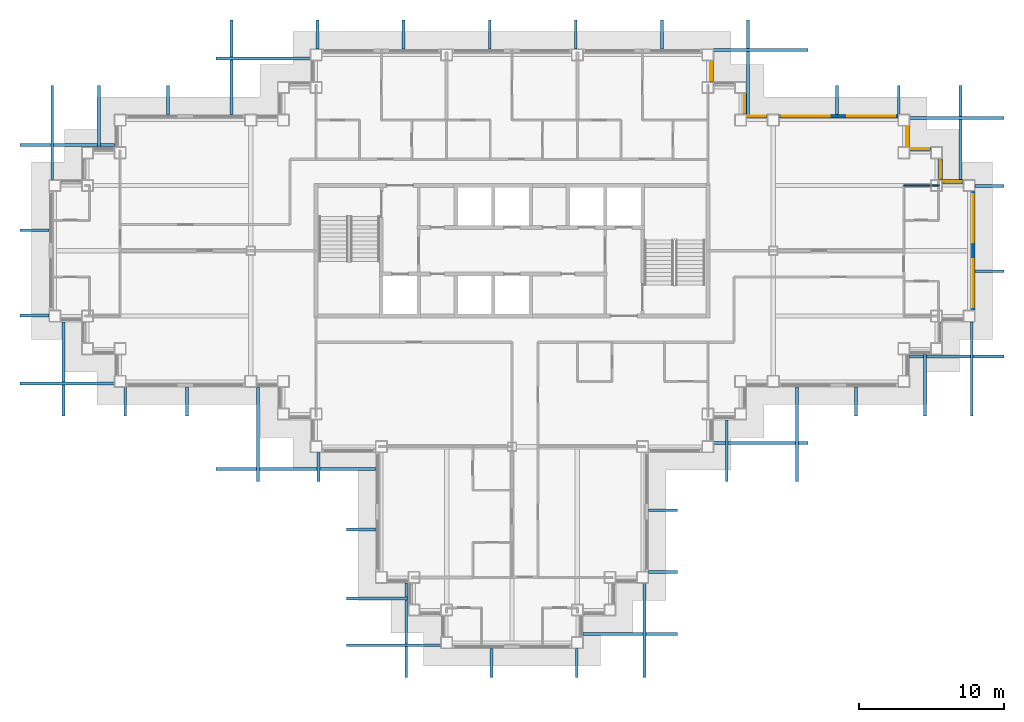
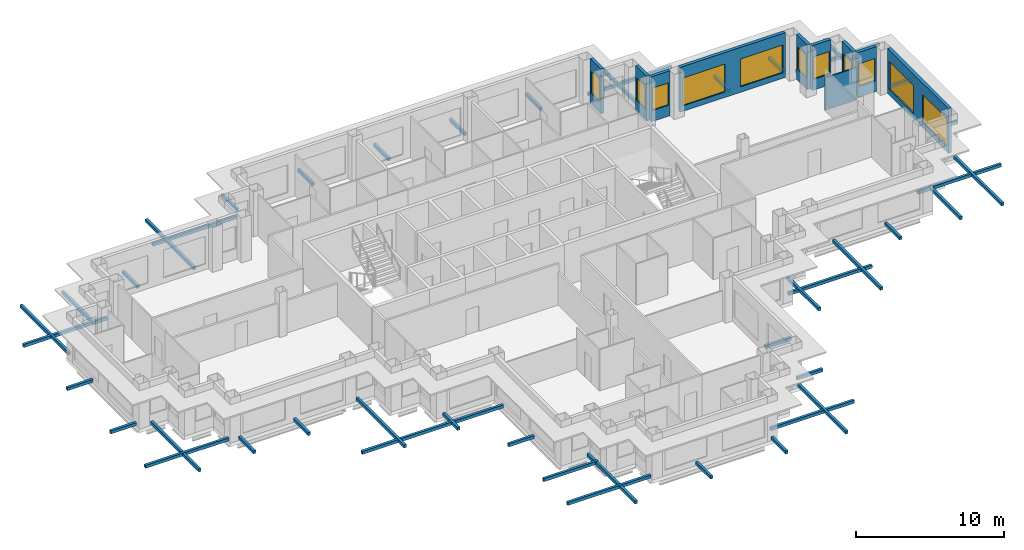
# One storey, part 9 of 14: 45 discrete accessories, 11 windows, 10 walls, 11 openings.
"""IFC4 building model written with IfcOpenShell, lengths in metres."""

from ifc_helpers import new_model, si_unit, direction, frame, frame_2d, origin, origin_2d, place, context, subcontext, project, spatial, rectangle, extrude, material, layer, layer_set, type_object, element, fill, save


model = new_model("IFC4")

# Units and contexts
model_context = context("Model", 3, precision=1e-05, world=origin(), true_north=direction((0.0, 1.0)))
body_context = subcontext(model_context, "Body", "Model", "MODEL_VIEW")
ifc_project = project(units=[si_unit("LENGTHUNIT", "METRE"), si_unit("AREAUNIT", "SQUARE_METRE"), si_unit("VOLUMEUNIT", "CUBIC_METRE"), si_unit("PLANEANGLEUNIT", "RADIAN"), si_unit("MASSUNIT", "GRAM", prefix="KILO")], contexts=[model_context])

# Site, building, storey
site_placement = place(None, origin())
site = spatial("IfcSite", under=ifc_project, at=site_placement, CompositionType="ELEMENT")
building_placement = place(site_placement, origin())
building = spatial("IfcBuilding", under=site, at=building_placement, Name="Caravel Reach Hotel and Residences", CompositionType="ELEMENT")
storey_placement = place(building_placement, frame((0.0, 0.0, 161.699951171875)))
storey = spatial("IfcBuildingStorey", under=building, at=storey_placement, Name="L40", CompositionType="ELEMENT", Elevation=161.699951171875)

# Wall, openings, windows
ifc_material_1 = material(Name="Insulated rainscreen wall, aluminium cladding", Category="aluminium")
ifc_layer_1 = layer(ifc_material_1, 0.25)
ifc_layer_set_1 = layer_set([ifc_layer_1], Name="EW1 Tower rainscreen wall")
wall_type_1 = type_object("IfcWallType", Name="EW1 Tower rainscreen wall", PredefinedType="SOLIDWALL", material=ifc_layer_set_1)
wall_1_placement = place(storey_placement, frame((63.27490234375, 22.89990234375, 0.0), z_axis=(0.0, 0.0, 1.0), x_axis=(0.0, 1.0, 0.0)))
wall_1 = element("IfcWall", 1, at=wall_1_placement, inside=storey, type_object=wall_type_1, Name="External wall L40 E20.1", PredefinedType="SOLIDWALL", context=body_context, shape_type="SweptSolid", body=[
    extrude(rectangle(XDim=8.2001953125, YDim=0.25, at=frame_2d((4.10009765625, 0.0))), origin(), (0.0, 0.0, 1.0), 3.699951171875),
])
opening_1_placement = place(wall_1_placement, frame((0.199951171875, 0.0, 0.449951171875)))
opening_1 = element("IfcOpeningElement", 2, at=opening_1_placement, cuts=wall_1, Name="Opening WN15", PredefinedType="OPENING", context=body_context, shape_type="SweptSolid", body=[
    extrude(rectangle(XDim=3.300048828125, YDim=2.300048828125, at=frame_2d((1.64990234375, 1.14990234375))), frame((0.0, 0.135009765625, 0.0), z_axis=(0.0, -1.0, 0.0), x_axis=(1.0, 0.0, 0.0)), (0.0, 0.0, 1.0), 0.27001953125),
])
opening_2_placement = place(wall_1_placement, frame((4.699951171875, 0.0, 0.449951171875)))
opening_2 = element("IfcOpeningElement", 3, at=opening_2_placement, cuts=wall_1, Name="Opening WN15", PredefinedType="OPENING", context=body_context, shape_type="SweptSolid", body=[
    extrude(rectangle(XDim=3.300048828125, YDim=2.300048828125, at=frame_2d((1.64990234375, 1.14990234375))), frame((0.0, 0.135009765625, 0.0), z_axis=(0.0, -1.0, 0.0), x_axis=(1.0, 0.0, 0.0)), (0.0, 0.0, 1.0), 0.27001953125),
])
ifc_material_2 = material(Name="Dark low-e glazing in black aluminium frame", Category="aluminium")
window_type_1 = type_object("IfcWindowType", Name="Residence living window 3300 x 2300", PartitioningType="SINGLE_PANEL", PredefinedType="WINDOW", material=ifc_material_2)
window_1_placement = place(opening_1_placement, origin())
window_1 = element("IfcWindow", 4, at=window_1_placement, inside=storey, type_object=window_type_1, Name="Window L40 E20.1.1", OverallHeight=2.300048828125, OverallWidth=3.300048828125, PartitioningType="SINGLE_PANEL", PredefinedType="WINDOW", context=body_context, shape_type="SweptSolid", body=[
    extrude(rectangle(XDim=3.300048828125, YDim=2.300048828125, at=frame_2d((1.64990234375, 1.14990234375))), frame((0.0, 0.030029296875, 0.0), z_axis=(0.0, -1.0, 0.0), x_axis=(1.0, 0.0, 0.0)), (0.0, 0.0, 1.0), 0.06005859375),
])
fill(opening_1, window_1)
window_2_placement = place(opening_2_placement, origin())
window_2 = element("IfcWindow", 5, at=window_2_placement, inside=storey, type_object=window_type_1, Name="Window L40 E20.1.2", OverallHeight=2.300048828125, OverallWidth=3.300048828125, PartitioningType="SINGLE_PANEL", PredefinedType="WINDOW", context=body_context, shape_type="SweptSolid", body=[
    extrude(rectangle(XDim=3.300048828125, YDim=2.300048828125, at=frame_2d((1.64990234375, 1.14990234375))), frame((0.0, 0.030029296875, 0.0), z_axis=(0.0, -1.0, 0.0), x_axis=(1.0, 0.0, 0.0)), (0.0, 0.0, 1.0), 0.06005859375),
])
fill(opening_2, window_2)

# Wall, opening, window
wall_2_placement = place(storey_placement, frame((62.60009765625, 31.77490234375, 0.0), z_axis=(0.0, 0.0, 1.0), x_axis=(-1.0, 0.0, 0.0)))
wall_2 = element("IfcWall", 6, at=wall_2_placement, inside=storey, type_object=wall_type_1, Name="External wall L40 N21.1", PredefinedType="SOLIDWALL", context=body_context, shape_type="SweptSolid", body=[
    extrude(rectangle(XDim=1.4501953125, YDim=0.25, at=frame_2d((0.72509765625, 0.0))), origin(), (0.0, 0.0, 1.0), 3.699951171875),
])
opening_3_placement = place(wall_2_placement, frame((0.10009765625, 0.0, 0.89990234375)))
opening_3 = element("IfcOpeningElement", 7, at=opening_3_placement, cuts=wall_2, Name="Opening WN13", PredefinedType="OPENING", context=body_context, shape_type="SweptSolid", body=[
    extrude(rectangle(XDim=1.25, YDim=1.85009765625, at=frame_2d((0.625, 0.925048828125))), frame((0.0, 0.135009765625, 0.0), z_axis=(0.0, -1.0, 0.0), x_axis=(1.0, 0.0, 0.0)), (0.0, 0.0, 1.0), 0.27001953125),
])
ifc_material_3 = material(Name="Dark low-e glazing in black aluminium frame", Category="aluminium")
window_type_2 = type_object("IfcWindowType", Name="Residence bedroom window 1250 x 1850", PartitioningType="SINGLE_PANEL", PredefinedType="WINDOW", material=ifc_material_3)
window_3_placement = place(opening_3_placement, origin())
window_3 = element("IfcWindow", 8, at=window_3_placement, inside=storey, type_object=window_type_2, Name="Window L40 N21.1.1", OverallHeight=1.85009765625, OverallWidth=1.25, PartitioningType="SINGLE_PANEL", PredefinedType="WINDOW", context=body_context, shape_type="SweptSolid", body=[
    extrude(rectangle(XDim=1.25, YDim=1.85009765625, at=frame_2d((0.625, 0.925048828125))), frame((0.0, 0.030029296875, 0.0), z_axis=(0.0, -1.0, 0.0), x_axis=(1.0, 0.0, 0.0)), (0.0, 0.0, 1.0), 0.06005859375),
])
fill(opening_3, window_3)

wall_3_placement = place(storey_placement, frame((61.02490234375, 31.89990234375, 0.0), z_axis=(0.0, 0.0, 1.0), x_axis=(0.0, 1.0, 0.0)))
wall_3 = element("IfcWall", 9, at=wall_3_placement, inside=storey, type_object=wall_type_1, Name="External wall L40 E22.1", PredefinedType="SOLIDWALL", context=body_context, shape_type="SweptSolid", body=[
    extrude(rectangle(XDim=1.4501953125, YDim=0.25, at=frame_2d((0.72509765625, 0.0))), origin(), (0.0, 0.0, 1.0), 3.699951171875),
])
opening_4_placement = place(wall_3_placement, frame((0.10009765625, 0.0, 0.89990234375)))
opening_4 = element("IfcOpeningElement", 10, at=opening_4_placement, cuts=wall_3, Name="Opening WN13", PredefinedType="OPENING", context=body_context, shape_type="SweptSolid", body=[
    extrude(rectangle(XDim=1.25, YDim=1.85009765625, at=frame_2d((0.625, 0.925048828125))), frame((0.0, 0.135009765625, 0.0), z_axis=(0.0, -1.0, 0.0), x_axis=(1.0, 0.0, 0.0)), (0.0, 0.0, 1.0), 0.27001953125),
])
window_4_placement = place(opening_4_placement, origin())
window_4 = element("IfcWindow", 11, at=window_4_placement, inside=storey, type_object=window_type_2, Name="Window L40 E22.1.1", OverallHeight=1.85009765625, OverallWidth=1.25, PartitioningType="SINGLE_PANEL", PredefinedType="WINDOW", context=body_context, shape_type="SweptSolid", body=[
    extrude(rectangle(XDim=1.25, YDim=1.85009765625, at=frame_2d((0.625, 0.925048828125))), frame((0.0, 0.030029296875, 0.0), z_axis=(0.0, -1.0, 0.0), x_axis=(1.0, 0.0, 0.0)), (0.0, 0.0, 1.0), 0.06005859375),
])
fill(opening_4, window_4)

wall_4_placement = place(storey_placement, frame((60.35009765625, 34.02490234375, 0.0), z_axis=(0.0, 0.0, 1.0), x_axis=(-1.0, 0.0, 0.0)))
wall_4 = element("IfcWall", 12, at=wall_4_placement, inside=storey, type_object=wall_type_1, Name="External wall L40 N23.1", PredefinedType="SOLIDWALL", context=body_context, shape_type="SweptSolid", body=[
    extrude(rectangle(XDim=1.4501953125, YDim=0.25, at=frame_2d((0.72509765625, 0.0))), origin(), (0.0, 0.0, 1.0), 3.699951171875),
])
opening_5_placement = place(wall_4_placement, frame((0.10009765625, 0.0, 0.89990234375)))
opening_5 = element("IfcOpeningElement", 13, at=opening_5_placement, cuts=wall_4, Name="Opening WN13", PredefinedType="OPENING", context=body_context, shape_type="SweptSolid", body=[
    extrude(rectangle(XDim=1.25, YDim=1.85009765625, at=frame_2d((0.625, 0.925048828125))), frame((0.0, 0.135009765625, 0.0), z_axis=(0.0, -1.0, 0.0), x_axis=(1.0, 0.0, 0.0)), (0.0, 0.0, 1.0), 0.27001953125),
])
window_5_placement = place(opening_5_placement, origin())
window_5 = element("IfcWindow", 14, at=window_5_placement, inside=storey, type_object=window_type_2, Name="Window L40 N23.1.1", OverallHeight=1.85009765625, OverallWidth=1.25, PartitioningType="SINGLE_PANEL", PredefinedType="WINDOW", context=body_context, shape_type="SweptSolid", body=[
    extrude(rectangle(XDim=1.25, YDim=1.85009765625, at=frame_2d((0.625, 0.925048828125))), frame((0.0, 0.030029296875, 0.0), z_axis=(0.0, -1.0, 0.0), x_axis=(1.0, 0.0, 0.0)), (0.0, 0.0, 1.0), 0.06005859375),
])
fill(opening_5, window_5)

wall_5_placement = place(storey_placement, frame((58.77490234375, 34.14990234375, 0.0), z_axis=(0.0, 0.0, 1.0), x_axis=(0.0, 1.0, 0.0)))
wall_5 = element("IfcWall", 15, at=wall_5_placement, inside=storey, type_object=wall_type_1, Name="External wall L40 E24.1", PredefinedType="SOLIDWALL", context=body_context, shape_type="SweptSolid", body=[
    extrude(rectangle(XDim=1.4501953125, YDim=0.25, at=frame_2d((0.72509765625, 0.0))), origin(), (0.0, 0.0, 1.0), 3.699951171875),
])
opening_6_placement = place(wall_5_placement, frame((0.10009765625, 0.0, 0.89990234375)))
opening_6 = element("IfcOpeningElement", 16, at=opening_6_placement, cuts=wall_5, Name="Opening WN13", PredefinedType="OPENING", context=body_context, shape_type="SweptSolid", body=[
    extrude(rectangle(XDim=1.25, YDim=1.85009765625, at=frame_2d((0.625, 0.925048828125))), frame((0.0, 0.135009765625, 0.0), z_axis=(0.0, -1.0, 0.0), x_axis=(1.0, 0.0, 0.0)), (0.0, 0.0, 1.0), 0.27001953125),
])
window_6_placement = place(opening_6_placement, origin())
window_6 = element("IfcWindow", 17, at=window_6_placement, inside=storey, type_object=window_type_2, Name="Window L40 E24.1.1", OverallHeight=1.85009765625, OverallWidth=1.25, PartitioningType="SINGLE_PANEL", PredefinedType="WINDOW", context=body_context, shape_type="SweptSolid", body=[
    extrude(rectangle(XDim=1.25, YDim=1.85009765625, at=frame_2d((0.625, 0.925048828125))), frame((0.0, 0.030029296875, 0.0), z_axis=(0.0, -1.0, 0.0), x_axis=(1.0, 0.0, 0.0)), (0.0, 0.0, 1.0), 0.06005859375),
])
fill(opening_6, window_6)

# Wall, openings, windows
wall_6_placement = place(storey_placement, frame((58.10009765625, 36.27490234375, 0.0), z_axis=(0.0, 0.0, 1.0), x_axis=(-1.0, 0.0, 0.0)))
wall_6 = element("IfcWall", 18, at=wall_6_placement, inside=storey, type_object=wall_type_1, Name="External wall L40 N25.1", PredefinedType="SOLIDWALL", context=body_context, shape_type="SweptSolid", body=[
    extrude(rectangle(XDim=8.2001953125, YDim=0.25, at=frame_2d((4.10009765625, 0.0))), origin(), (0.0, 0.0, 1.0), 3.699951171875),
])
opening_7_placement = place(wall_6_placement, frame((0.199951171875, 0.0, 0.449951171875)))
opening_7 = element("IfcOpeningElement", 19, at=opening_7_placement, cuts=wall_6, Name="Opening WN15", PredefinedType="OPENING", context=body_context, shape_type="SweptSolid", body=[
    extrude(rectangle(XDim=3.300048828125, YDim=2.300048828125, at=frame_2d((1.64990234375, 1.14990234375))), frame((0.0, 0.135009765625, 0.0), z_axis=(0.0, -1.0, 0.0), x_axis=(1.0, 0.0, 0.0)), (0.0, 0.0, 1.0), 0.27001953125),
])
opening_8_placement = place(wall_6_placement, frame((4.699951171875, 0.0, 0.449951171875)))
opening_8 = element("IfcOpeningElement", 20, at=opening_8_placement, cuts=wall_6, Name="Opening WN15", PredefinedType="OPENING", context=body_context, shape_type="SweptSolid", body=[
    extrude(rectangle(XDim=3.300048828125, YDim=2.300048828125, at=frame_2d((1.64990234375, 1.14990234375))), frame((0.0, 0.135009765625, 0.0), z_axis=(0.0, -1.0, 0.0), x_axis=(1.0, 0.0, 0.0)), (0.0, 0.0, 1.0), 0.27001953125),
])
window_7_placement = place(opening_7_placement, origin())
window_7 = element("IfcWindow", 21, at=window_7_placement, inside=storey, type_object=window_type_1, Name="Window L40 N25.1.1", OverallHeight=2.300048828125, OverallWidth=3.300048828125, PartitioningType="SINGLE_PANEL", PredefinedType="WINDOW", context=body_context, shape_type="SweptSolid", body=[
    extrude(rectangle(XDim=3.300048828125, YDim=2.300048828125, at=frame_2d((1.64990234375, 1.14990234375))), frame((0.0, 0.030029296875, 0.0), z_axis=(0.0, -1.0, 0.0), x_axis=(1.0, 0.0, 0.0)), (0.0, 0.0, 1.0), 0.06005859375),
])
fill(opening_7, window_7)
window_8_placement = place(opening_8_placement, origin())
window_8 = element("IfcWindow", 22, at=window_8_placement, inside=storey, type_object=window_type_1, Name="Window L40 N25.1.2", OverallHeight=2.300048828125, OverallWidth=3.300048828125, PartitioningType="SINGLE_PANEL", PredefinedType="WINDOW", context=body_context, shape_type="SweptSolid", body=[
    extrude(rectangle(XDim=3.300048828125, YDim=2.300048828125, at=frame_2d((1.64990234375, 1.14990234375))), frame((0.0, 0.030029296875, 0.0), z_axis=(0.0, -1.0, 0.0), x_axis=(1.0, 0.0, 0.0)), (0.0, 0.0, 1.0), 0.06005859375),
])
fill(opening_8, window_8)

# Wall, opening, window
wall_7_placement = place(storey_placement, frame((49.10009765625, 36.27490234375, 0.0), z_axis=(0.0, 0.0, 1.0), x_axis=(-1.0, 0.0, 0.0)))
wall_7 = element("IfcWall", 23, at=wall_7_placement, inside=storey, type_object=wall_type_1, Name="External wall L40 N25.2", PredefinedType="SOLIDWALL", context=body_context, shape_type="SweptSolid", body=[
    extrude(rectangle(XDim=1.4501953125, YDim=0.25, at=frame_2d((0.72509765625, 0.0))), origin(), (0.0, 0.0, 1.0), 3.699951171875),
])
opening_9_placement = place(wall_7_placement, frame((0.10009765625, 0.0, 0.89990234375)))
opening_9 = element("IfcOpeningElement", 24, at=opening_9_placement, cuts=wall_7, Name="Opening WN13", PredefinedType="OPENING", context=body_context, shape_type="SweptSolid", body=[
    extrude(rectangle(XDim=1.25, YDim=1.85009765625, at=frame_2d((0.625, 0.925048828125))), frame((0.0, 0.135009765625, 0.0), z_axis=(0.0, -1.0, 0.0), x_axis=(1.0, 0.0, 0.0)), (0.0, 0.0, 1.0), 0.27001953125),
])
window_9_placement = place(opening_9_placement, origin())
window_9 = element("IfcWindow", 25, at=window_9_placement, inside=storey, type_object=window_type_2, Name="Window L40 N25.2.1", OverallHeight=1.85009765625, OverallWidth=1.25, PartitioningType="SINGLE_PANEL", PredefinedType="WINDOW", context=body_context, shape_type="SweptSolid", body=[
    extrude(rectangle(XDim=1.25, YDim=1.85009765625, at=frame_2d((0.625, 0.925048828125))), frame((0.0, 0.030029296875, 0.0), z_axis=(0.0, -1.0, 0.0), x_axis=(1.0, 0.0, 0.0)), (0.0, 0.0, 1.0), 0.06005859375),
])
fill(opening_9, window_9)

wall_8_placement = place(storey_placement, frame((47.52490234375, 36.39990234375, 0.0), z_axis=(0.0, 0.0, 1.0), x_axis=(0.0, 1.0, 0.0)))
wall_8 = element("IfcWall", 26, at=wall_8_placement, inside=storey, type_object=wall_type_1, Name="External wall L40 E26.1", PredefinedType="SOLIDWALL", context=body_context, shape_type="SweptSolid", body=[
    extrude(rectangle(XDim=1.4501953125, YDim=0.25, at=frame_2d((0.72509765625, 0.0))), origin(), (0.0, 0.0, 1.0), 3.699951171875),
])
opening_10_placement = place(wall_8_placement, frame((0.10009765625, 0.0, 0.89990234375)))
opening_10 = element("IfcOpeningElement", 27, at=opening_10_placement, cuts=wall_8, Name="Opening WN13", PredefinedType="OPENING", context=body_context, shape_type="SweptSolid", body=[
    extrude(rectangle(XDim=1.25, YDim=1.85009765625, at=frame_2d((0.625, 0.925048828125))), frame((0.0, 0.135009765625, 0.0), z_axis=(0.0, -1.0, 0.0), x_axis=(1.0, 0.0, 0.0)), (0.0, 0.0, 1.0), 0.27001953125),
])
window_10_placement = place(opening_10_placement, origin())
window_10 = element("IfcWindow", 28, at=window_10_placement, inside=storey, type_object=window_type_2, Name="Window L40 E26.1.1", OverallHeight=1.85009765625, OverallWidth=1.25, PartitioningType="SINGLE_PANEL", PredefinedType="WINDOW", context=body_context, shape_type="SweptSolid", body=[
    extrude(rectangle(XDim=1.25, YDim=1.85009765625, at=frame_2d((0.625, 0.925048828125))), frame((0.0, 0.030029296875, 0.0), z_axis=(0.0, -1.0, 0.0), x_axis=(1.0, 0.0, 0.0)), (0.0, 0.0, 1.0), 0.06005859375),
])
fill(opening_10, window_10)

wall_9_placement = place(storey_placement, frame((45.27490234375, 38.64990234375, 0.0), z_axis=(0.0, 0.0, 1.0), x_axis=(0.0, 1.0, 0.0)))
wall_9 = element("IfcWall", 29, at=wall_9_placement, inside=storey, type_object=wall_type_1, Name="External wall L40 E28.1", PredefinedType="SOLIDWALL", context=body_context, shape_type="SweptSolid", body=[
    extrude(rectangle(XDim=1.4501953125, YDim=0.25, at=frame_2d((0.72509765625, 0.0))), origin(), (0.0, 0.0, 1.0), 3.699951171875),
])
opening_11_placement = place(wall_9_placement, frame((0.10009765625, 0.0, 0.89990234375)))
opening_11 = element("IfcOpeningElement", 30, at=opening_11_placement, cuts=wall_9, Name="Opening WN13", PredefinedType="OPENING", context=body_context, shape_type="SweptSolid", body=[
    extrude(rectangle(XDim=1.25, YDim=1.85009765625, at=frame_2d((0.625, 0.925048828125))), frame((0.0, 0.135009765625, 0.0), z_axis=(0.0, -1.0, 0.0), x_axis=(1.0, 0.0, 0.0)), (0.0, 0.0, 1.0), 0.27001953125),
])
window_11_placement = place(opening_11_placement, origin())
window_11 = element("IfcWindow", 31, at=window_11_placement, inside=storey, type_object=window_type_2, Name="Window L40 E28.1.1", OverallHeight=1.85009765625, OverallWidth=1.25, PartitioningType="SINGLE_PANEL", PredefinedType="WINDOW", context=body_context, shape_type="SweptSolid", body=[
    extrude(rectangle(XDim=1.25, YDim=1.85009765625, at=frame_2d((0.625, 0.925048828125))), frame((0.0, 0.030029296875, 0.0), z_axis=(0.0, -1.0, 0.0), x_axis=(1.0, 0.0, 0.0)), (0.0, 0.0, 1.0), 0.06005859375),
])
fill(opening_11, window_11)

# Wall
ifc_material_4 = material(Name="Gypsum board on steel stud", Category="steel")
ifc_layer_2 = layer(ifc_material_4, 0.10009765625)
ifc_layer_set_2 = layer_set([ifc_layer_2], Name="Partition 100 mm")
wall_type_2 = type_object("IfcWallType", Name="Partition 100 mm", PredefinedType="PARTITIONING", material=ifc_layer_set_2)
wall_10_placement = place(storey_placement, frame((58.5009765625, 31.5, 0.0), z_axis=(0.0, 0.0, 1.0), x_axis=(1.0, 0.0, 0.0)))
element("IfcWall", 32, at=wall_10_placement, inside=storey, type_object=wall_type_2, Name="L40 wall w042", PredefinedType="PARTITIONING", context=body_context, shape_type="SweptSolid", body=[
    extrude(rectangle(XDim=2.43896484375, YDim=0.10009765625, at=frame_2d((1.219482421875, 0.0))), origin(), (0.0, 0.0, 1.0), 2.679931640625),
])

# Discrete accessories
ifc_material_5 = material(Name="Black powder-coated aluminium", Category="aluminium")
discrete_accessory_type = type_object("IfcDiscreteAccessoryType", Name="BR1 Screen bracket", PredefinedType="BRACKET", material=ifc_material_5)
discrete_accessory_1_placement = place(storey_placement, frame((21.10009765625, 7.78662109375, 0.10009765625), z_axis=(0.0, 0.0, 1.0), x_axis=(-1.0, 0.0, 0.0)))
element("IfcDiscreteAccessory", 33, at=discrete_accessory_1_placement, inside=storey, type_object=discrete_accessory_type, Name="Screen bracket L40 1.1.2", PredefinedType="BRACKET", context=body_context, shape_type="SweptSolid", body=[
    extrude(rectangle(XDim=2.0, YDim=0.199951171875, at=origin_2d()), origin(), (0.0, 0.0, 1.0), 0.25),
])
discrete_accessory_2_placement = place(storey_placement, frame((22.22509765625, 3.05322265625, 0.10009765625), z_axis=(0.0, 0.0, 1.0), x_axis=(-1.0, 0.0, 0.0)))
element("IfcDiscreteAccessory", 34, at=discrete_accessory_2_placement, inside=storey, type_object=discrete_accessory_type, Name="Screen bracket L40 1.2.2", PredefinedType="BRACKET", context=body_context, shape_type="SweptSolid", body=[
    extrude(rectangle(XDim=4.25, YDim=0.199951171875, at=origin_2d()), origin(), (0.0, 0.0, 1.0), 0.25),
])
for number, where, z_axis, x_axis, name in (
    (35, (23.35009765625, -0.179931640625, 0.10009765625), (0.0, 0.0, 1.0), (-1.0, 0.0, 0.0), "Screen bracket L40 1.3.2"),
    (36, (24.21240234375, 0.85009765625, 0.10009765625), (0.0, 0.0, 1.0), (0.0, -1.0, 0.0), "Screen bracket L40 2.1.2"),
):
    element("IfcDiscreteAccessory", number, at=place(storey_placement, frame(where, z_axis=z_axis, x_axis=x_axis)), inside=storey, type_object=discrete_accessory_type, Name=name, PredefinedType="BRACKET", context=body_context, shape_type="SweptSolid", body=[
        extrude(rectangle(XDim=6.5, YDim=0.199951171875, at=origin_2d()), origin(), (0.0, 0.0, 1.0), 0.25),
    ])
for number, where, z_axis, x_axis, name in (
    (37, (30.08740234375, -1.39990234375, 0.10009765625), (0.0, 0.0, 1.0), (0.0, -1.0, 0.0), "Screen bracket L40 2.2.2"),
    (38, (35.96240234375, -1.39990234375, 0.10009765625), (0.0, 0.0, 1.0), (0.0, -1.0, 0.0), "Screen bracket L40 2.3.2"),
):
    element("IfcDiscreteAccessory", number, at=place(storey_placement, frame(where, z_axis=z_axis, x_axis=x_axis)), inside=storey, type_object=discrete_accessory_type, Name=name, PredefinedType="BRACKET", context=body_context, shape_type="SweptSolid", body=[
        extrude(rectangle(XDim=2.0, YDim=0.199951171875, at=origin_2d()), origin(), (0.0, 0.0, 1.0), 0.25),
    ])
for number, where, z_axis, x_axis, name in (
    (39, (40.637451171875, 0.85009765625, 0.10009765625), (0.0, 0.0, 1.0), (0.0, -1.0, 0.0), "Screen bracket L40 2.4.2"),
    (40, (39.64990234375, 0.586669921875, 0.10009765625), (0.0, 0.0, 1.0), (1.0, 0.0, 0.0), "Screen bracket L40 3.1.2"),
):
    element("IfcDiscreteAccessory", number, at=place(storey_placement, frame(where, z_axis=z_axis, x_axis=x_axis)), inside=storey, type_object=discrete_accessory_type, Name=name, PredefinedType="BRACKET", context=body_context, shape_type="SweptSolid", body=[
        extrude(rectangle(XDim=6.5, YDim=0.199951171875, at=origin_2d()), origin(), (0.0, 0.0, 1.0), 0.25),
    ])
for number, where, z_axis, x_axis, name in (
    (41, (41.89990234375, 4.853271484375, 0.10009765625), (0.0, 0.0, 1.0), (1.0, 0.0, 0.0), "Screen bracket L40 3.2.2"),
    (42, (41.89990234375, 9.1201171875, 0.10009765625), (0.0, 0.0, 1.0), (1.0, 0.0, 0.0), "Screen bracket L40 3.3.2"),
):
    element("IfcDiscreteAccessory", number, at=place(storey_placement, frame(where, z_axis=z_axis, x_axis=x_axis)), inside=storey, type_object=discrete_accessory_type, Name=name, PredefinedType="BRACKET", context=body_context, shape_type="SweptSolid", body=[
        extrude(rectangle(XDim=2.0, YDim=0.199951171875, at=origin_2d()), origin(), (0.0, 0.0, 1.0), 0.25),
    ])
discrete_accessory_3_placement = place(storey_placement, frame((46.294921875, 13.22509765625, 0.10009765625), z_axis=(0.0, 0.0, 1.0), x_axis=(0.0, -1.0, 0.0)))
element("IfcDiscreteAccessory", 43, at=discrete_accessory_3_placement, inside=storey, type_object=discrete_accessory_type, Name="Screen bracket L40 4.1.2", PredefinedType="BRACKET", context=body_context, shape_type="SweptSolid", body=[
    extrude(rectangle(XDim=4.25, YDim=0.199951171875, at=origin_2d()), origin(), (0.0, 0.0, 1.0), 0.25),
])
for number, where, z_axis, x_axis, name in (
    (44, (51.14501953125, 14.35009765625, 0.10009765625), (0.0, 0.0, 1.0), (0.0, -1.0, 0.0), "Screen bracket L40 4.2.2"),
    (45, (48.64990234375, 13.760009765625, 0.10009765625), (0.0, 0.0, 1.0), (1.0, 0.0, 0.0), "Screen bracket L40 5.1.2"),
):
    element("IfcDiscreteAccessory", number, at=place(storey_placement, frame(where, z_axis=z_axis, x_axis=x_axis)), inside=storey, type_object=discrete_accessory_type, Name=name, PredefinedType="BRACKET", context=body_context, shape_type="SweptSolid", body=[
        extrude(rectangle(XDim=6.5, YDim=0.199951171875, at=origin_2d()), origin(), (0.0, 0.0, 1.0), 0.25),
    ])
discrete_accessory_4_placement = place(storey_placement, frame((55.21337890625, 16.60009765625, 0.10009765625), z_axis=(0.0, 0.0, 1.0), x_axis=(0.0, -1.0, 0.0)))
element("IfcDiscreteAccessory", 46, at=discrete_accessory_4_placement, inside=storey, type_object=discrete_accessory_type, Name="Screen bracket L40 6.1.2", PredefinedType="BRACKET", context=body_context, shape_type="SweptSolid", body=[
    extrude(rectangle(XDim=2.0, YDim=0.199951171875, at=origin_2d()), origin(), (0.0, 0.0, 1.0), 0.25),
])
discrete_accessory_5_placement = place(storey_placement, frame((59.94677734375, 17.72509765625, 0.10009765625), z_axis=(0.0, 0.0, 1.0), x_axis=(0.0, -1.0, 0.0)))
element("IfcDiscreteAccessory", 47, at=discrete_accessory_5_placement, inside=storey, type_object=discrete_accessory_type, Name="Screen bracket L40 6.2.2", PredefinedType="BRACKET", context=body_context, shape_type="SweptSolid", body=[
    extrude(rectangle(XDim=4.25, YDim=0.199951171875, at=origin_2d()), origin(), (0.0, 0.0, 1.0), 0.25),
])
for number, where, z_axis, x_axis, name in (
    (48, (63.179931640625, 18.85009765625, 0.10009765625), (0.0, 0.0, 1.0), (0.0, -1.0, 0.0), "Screen bracket L40 6.3.2"),
    (49, (62.14990234375, 19.71240234375, 0.10009765625), (0.0, 0.0, 1.0), (1.0, 0.0, 0.0), "Screen bracket L40 7.1.2"),
):
    element("IfcDiscreteAccessory", number, at=place(storey_placement, frame(where, z_axis=z_axis, x_axis=x_axis)), inside=storey, type_object=discrete_accessory_type, Name=name, PredefinedType="BRACKET", context=body_context, shape_type="SweptSolid", body=[
        extrude(rectangle(XDim=6.5, YDim=0.199951171875, at=origin_2d()), origin(), (0.0, 0.0, 1.0), 0.25),
    ])
for number, where, z_axis, x_axis, name in (
    (50, (64.39990234375, 25.58740234375, 0.10009765625), (0.0, 0.0, 1.0), (1.0, 0.0, 0.0), "Screen bracket L40 7.2.2"),
    (51, (64.39990234375, 31.46240234375, 0.10009765625), (0.0, 0.0, 1.0), (1.0, 0.0, 0.0), "Screen bracket L40 7.3.2"),
):
    element("IfcDiscreteAccessory", number, at=place(storey_placement, frame(where, z_axis=z_axis, x_axis=x_axis)), inside=storey, type_object=discrete_accessory_type, Name=name, PredefinedType="BRACKET", context=body_context, shape_type="SweptSolid", body=[
        extrude(rectangle(XDim=2.0, YDim=0.199951171875, at=origin_2d()), origin(), (0.0, 0.0, 1.0), 0.25),
    ])
for number, where, z_axis, x_axis, name in (
    (52, (62.14990234375, 36.137451171875, 0.10009765625), (0.0, 0.0, 1.0), (1.0, 0.0, 0.0), "Screen bracket L40 7.4.2"),
    (53, (62.413330078125, 35.14990234375, 0.10009765625), (0.0, 0.0, 1.0), (0.0, 1.0, 0.0), "Screen bracket L40 8.1.2"),
):
    element("IfcDiscreteAccessory", number, at=place(storey_placement, frame(where, z_axis=z_axis, x_axis=x_axis)), inside=storey, type_object=discrete_accessory_type, Name=name, PredefinedType="BRACKET", context=body_context, shape_type="SweptSolid", body=[
        extrude(rectangle(XDim=6.5, YDim=0.199951171875, at=origin_2d()), origin(), (0.0, 0.0, 1.0), 0.25),
    ])
for number, where, z_axis, x_axis, name in (
    (54, (58.146728515625, 37.39990234375, 0.10009765625), (0.0, 0.0, 1.0), (0.0, 1.0, 0.0), "Screen bracket L40 8.2.2"),
    (55, (53.8798828125, 37.39990234375, 0.10009765625), (0.0, 0.0, 1.0), (0.0, 1.0, 0.0), "Screen bracket L40 8.3.2"),
):
    element("IfcDiscreteAccessory", number, at=place(storey_placement, frame(where, z_axis=z_axis, x_axis=x_axis)), inside=storey, type_object=discrete_accessory_type, Name=name, PredefinedType="BRACKET", context=body_context, shape_type="SweptSolid", body=[
        extrude(rectangle(XDim=2.0, YDim=0.199951171875, at=origin_2d()), origin(), (0.0, 0.0, 1.0), 0.25),
    ])
for number, where, z_axis, x_axis, name in (
    (56, (48.64990234375, 40.840087890625, 0.10009765625), (0.0, 0.0, 1.0), (1.0, 0.0, 0.0), "Screen bracket L40 9.1.2"),
    (57, (47.75, 39.64990234375, 0.10009765625), (0.0, 0.0, 1.0), (0.0, 1.0, 0.0), "Screen bracket L40 10.1.2"),
):
    element("IfcDiscreteAccessory", number, at=place(storey_placement, frame(where, z_axis=z_axis, x_axis=x_axis)), inside=storey, type_object=discrete_accessory_type, Name=name, PredefinedType="BRACKET", context=body_context, shape_type="SweptSolid", body=[
        extrude(rectangle(XDim=6.5, YDim=0.199951171875, at=origin_2d()), origin(), (0.0, 0.0, 1.0), 0.25),
    ])
for number, where, z_axis, x_axis, name in (
    (58, (41.821533203125, 41.89990234375, 0.10009765625), (0.0, 0.0, 1.0), (0.0, 1.0, 0.0), "Screen bracket L40 10.2.2"),
    (59, (35.892822265625, 41.89990234375, 0.10009765625), (0.0, 0.0, 1.0), (0.0, 1.0, 0.0), "Screen bracket L40 10.3.2"),
    (60, (29.96435546875, 41.89990234375, 0.10009765625), (0.0, 0.0, 1.0), (0.0, 1.0, 0.0), "Screen bracket L40 10.4.2"),
    (61, (24.03564453125, 41.89990234375, 0.10009765625), (0.0, 0.0, 1.0), (0.0, 1.0, 0.0), "Screen bracket L40 10.5.2"),
    (62, (18.107177734375, 41.89990234375, 0.10009765625), (0.0, 0.0, 1.0), (0.0, 1.0, 0.0), "Screen bracket L40 10.6.2"),
):
    element("IfcDiscreteAccessory", number, at=place(storey_placement, frame(where, z_axis=z_axis, x_axis=x_axis)), inside=storey, type_object=discrete_accessory_type, Name=name, PredefinedType="BRACKET", context=body_context, shape_type="SweptSolid", body=[
        extrude(rectangle(XDim=2.0, YDim=0.199951171875, at=origin_2d()), origin(), (0.0, 0.0, 1.0), 0.25),
    ])
for number, where, z_axis, x_axis, name in (
    (63, (12.178466796875, 39.64990234375, 0.10009765625), (0.0, 0.0, 1.0), (0.0, 1.0, 0.0), "Screen bracket L40 10.7.2"),
    (64, (14.35009765625, 40.239990234375, 0.10009765625), (0.0, 0.0, 1.0), (-1.0, 0.0, 0.0), "Screen bracket L40 11.1.2"),
):
    element("IfcDiscreteAccessory", number, at=place(storey_placement, frame(where, z_axis=z_axis, x_axis=x_axis)), inside=storey, type_object=discrete_accessory_type, Name=name, PredefinedType="BRACKET", context=body_context, shape_type="SweptSolid", body=[
        extrude(rectangle(XDim=6.5, YDim=0.199951171875, at=origin_2d()), origin(), (0.0, 0.0, 1.0), 0.25),
    ])
discrete_accessory_6_placement = place(storey_placement, frame((7.78662109375, 37.39990234375, 0.10009765625), z_axis=(0.0, 0.0, 1.0), x_axis=(0.0, 1.0, 0.0)))
element("IfcDiscreteAccessory", 65, at=discrete_accessory_6_placement, inside=storey, type_object=discrete_accessory_type, Name="Screen bracket L40 12.1.2", PredefinedType="BRACKET", context=body_context, shape_type="SweptSolid", body=[
    extrude(rectangle(XDim=2.0, YDim=0.199951171875, at=origin_2d()), origin(), (0.0, 0.0, 1.0), 0.25),
])
discrete_accessory_7_placement = place(storey_placement, frame((3.05322265625, 36.27490234375, 0.10009765625), z_axis=(0.0, 0.0, 1.0), x_axis=(0.0, 1.0, 0.0)))
element("IfcDiscreteAccessory", 66, at=discrete_accessory_7_placement, inside=storey, type_object=discrete_accessory_type, Name="Screen bracket L40 12.2.2", PredefinedType="BRACKET", context=body_context, shape_type="SweptSolid", body=[
    extrude(rectangle(XDim=4.25, YDim=0.199951171875, at=origin_2d()), origin(), (0.0, 0.0, 1.0), 0.25),
])
for number, where, z_axis, x_axis, name in (
    (67, (-0.179931640625, 35.14990234375, 0.10009765625), (0.0, 0.0, 1.0), (0.0, 1.0, 0.0), "Screen bracket L40 12.3.2"),
    (68, (0.85009765625, 34.28759765625, 0.10009765625), (0.0, 0.0, 1.0), (-1.0, 0.0, 0.0), "Screen bracket L40 13.1.2"),
):
    element("IfcDiscreteAccessory", number, at=place(storey_placement, frame(where, z_axis=z_axis, x_axis=x_axis)), inside=storey, type_object=discrete_accessory_type, Name=name, PredefinedType="BRACKET", context=body_context, shape_type="SweptSolid", body=[
        extrude(rectangle(XDim=6.5, YDim=0.199951171875, at=origin_2d()), origin(), (0.0, 0.0, 1.0), 0.25),
    ])
for number, where, z_axis, x_axis, name in (
    (69, (-1.39990234375, 28.41259765625, 0.10009765625), (0.0, 0.0, 1.0), (-1.0, 0.0, 0.0), "Screen bracket L40 13.2.2"),
    (70, (-1.39990234375, 22.53759765625, 0.10009765625), (0.0, 0.0, 1.0), (-1.0, 0.0, 0.0), "Screen bracket L40 13.3.2"),
):
    element("IfcDiscreteAccessory", number, at=place(storey_placement, frame(where, z_axis=z_axis, x_axis=x_axis)), inside=storey, type_object=discrete_accessory_type, Name=name, PredefinedType="BRACKET", context=body_context, shape_type="SweptSolid", body=[
        extrude(rectangle(XDim=2.0, YDim=0.199951171875, at=origin_2d()), origin(), (0.0, 0.0, 1.0), 0.25),
    ])
for number, where, z_axis, x_axis, name in (
    (71, (0.85009765625, 17.862548828125, 0.10009765625), (0.0, 0.0, 1.0), (-1.0, 0.0, 0.0), "Screen bracket L40 13.4.2"),
    (72, (0.586669921875, 18.85009765625, 0.10009765625), (0.0, 0.0, 1.0), (0.0, -1.0, 0.0), "Screen bracket L40 14.1.2"),
):
    element("IfcDiscreteAccessory", number, at=place(storey_placement, frame(where, z_axis=z_axis, x_axis=x_axis)), inside=storey, type_object=discrete_accessory_type, Name=name, PredefinedType="BRACKET", context=body_context, shape_type="SweptSolid", body=[
        extrude(rectangle(XDim=6.5, YDim=0.199951171875, at=origin_2d()), origin(), (0.0, 0.0, 1.0), 0.25),
    ])
for number, where, z_axis, x_axis, name in (
    (73, (4.853271484375, 16.60009765625, 0.10009765625), (0.0, 0.0, 1.0), (0.0, -1.0, 0.0), "Screen bracket L40 14.2.2"),
    (74, (9.1201171875, 16.60009765625, 0.10009765625), (0.0, 0.0, 1.0), (0.0, -1.0, 0.0), "Screen bracket L40 14.3.2"),
):
    element("IfcDiscreteAccessory", number, at=place(storey_placement, frame(where, z_axis=z_axis, x_axis=x_axis)), inside=storey, type_object=discrete_accessory_type, Name=name, PredefinedType="BRACKET", context=body_context, shape_type="SweptSolid", body=[
        extrude(rectangle(XDim=2.0, YDim=0.199951171875, at=origin_2d()), origin(), (0.0, 0.0, 1.0), 0.25),
    ])
discrete_accessory_8_placement = place(storey_placement, frame((16.60009765625, 11.9599609375, 0.10009765625), z_axis=(0.0, 0.0, 1.0), x_axis=(-1.0, 0.0, 0.0)))
element("IfcDiscreteAccessory", 75, at=discrete_accessory_8_placement, inside=storey, type_object=discrete_accessory_type, Name="Screen bracket L40 15.1.2", PredefinedType="BRACKET", context=body_context, shape_type="SweptSolid", body=[
    extrude(rectangle(XDim=11.0, YDim=0.199951171875, at=origin_2d()), origin(), (0.0, 0.0, 1.0), 0.25),
])
discrete_accessory_9_placement = place(storey_placement, frame((14.0048828125, 14.35009765625, 0.10009765625), z_axis=(0.0, 0.0, 1.0), x_axis=(0.0, -1.0, 0.0)))
element("IfcDiscreteAccessory", 76, at=discrete_accessory_9_placement, inside=storey, type_object=discrete_accessory_type, Name="Screen bracket L40 16.1.2", PredefinedType="BRACKET", context=body_context, shape_type="SweptSolid", body=[
    extrude(rectangle(XDim=6.5, YDim=0.199951171875, at=origin_2d()), origin(), (0.0, 0.0, 1.0), 0.25),
])
discrete_accessory_10_placement = place(storey_placement, frame((18.155029296875, 12.10009765625, 0.10009765625), z_axis=(0.0, 0.0, 1.0), x_axis=(0.0, -1.0, 0.0)))
element("IfcDiscreteAccessory", 77, at=discrete_accessory_10_placement, inside=storey, type_object=discrete_accessory_type, Name="Screen bracket L40 16.2.2", PredefinedType="BRACKET", context=body_context, shape_type="SweptSolid", body=[
    extrude(rectangle(XDim=2.0, YDim=0.199951171875, at=origin_2d()), origin(), (0.0, 0.0, 1.0), 0.25),
])

save(model, "model.ifc")
